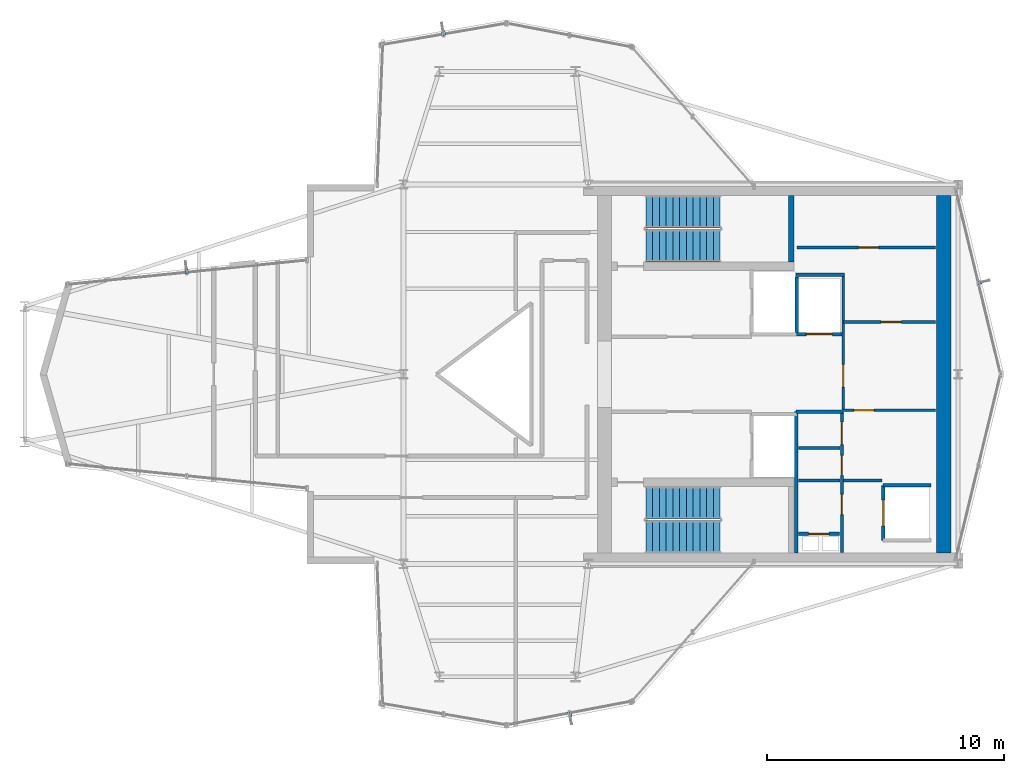
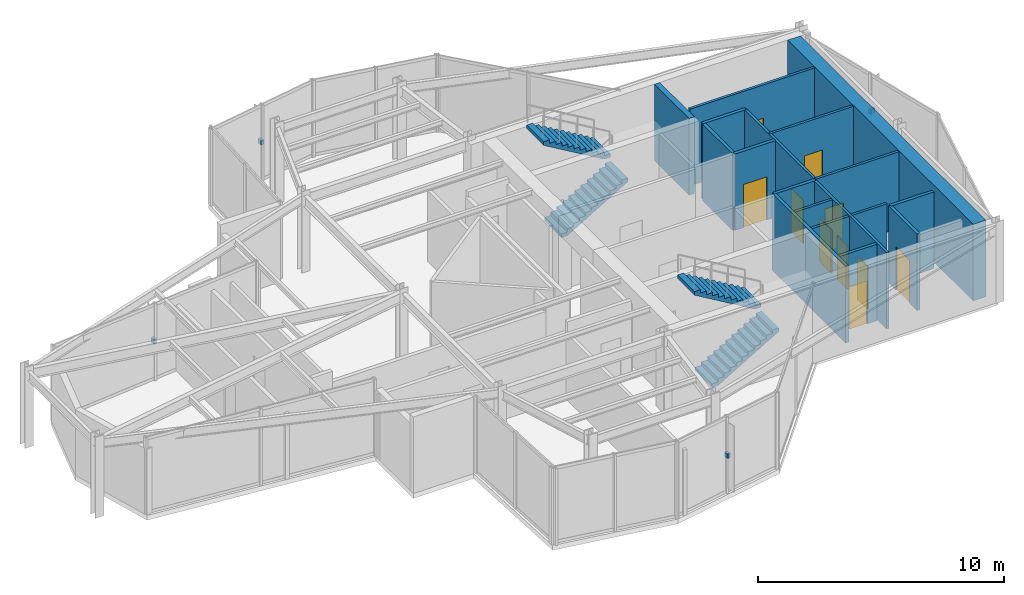
# One storey, part 14 of 15: 18 walls, 10 doors, 4 discrete accessories, 4 stair flights, 10 openings, 2 elements without a shape of their own.
"""IFC4 building model written with IfcOpenShell, lengths in metres."""

from ifc_helpers import new_model, si_unit, direction, frame, frame_2d, origin, origin_2d, place, context, subcontext, project, spatial, polyline, rectangle, outline, extrude, material, layer, layer_set, type_object, element, fill, aggregate, save


model = new_model("IFC4")

# Units and contexts
model_context = context("Model", 3, precision=1e-05, world=origin(), true_north=direction((0.0, 1.0)))
body_context = subcontext(model_context, "Body", "Model", "MODEL_VIEW")
ifc_project = project(units=[si_unit("LENGTHUNIT", "METRE"), si_unit("AREAUNIT", "SQUARE_METRE"), si_unit("VOLUMEUNIT", "CUBIC_METRE"), si_unit("PLANEANGLEUNIT", "RADIAN"), si_unit("MASSUNIT", "GRAM", prefix="KILO")], contexts=[model_context])

# Site, building, storey
site_placement = place(None, origin())
site = spatial("IfcSite", under=ifc_project, at=site_placement, CompositionType="ELEMENT")
building_placement = place(site_placement, origin())
building = spatial("IfcBuilding", under=site, at=building_placement, Name="Veymaron Broadcast Tower", CompositionType="ELEMENT")
storey_placement = place(building_placement, frame((0.0, 0.0, 266.85009765625)))
storey = spatial("IfcBuildingStorey", under=building, at=storey_placement, Name="L62", CompositionType="ELEMENT", Elevation=266.85009765625)

# Wall, opening, door
ifc_material_1 = material(Name="Gypsum fireboard and steel stud framing", Category="steel")
ifc_layer_1 = layer(ifc_material_1, 0.14990234375)
ifc_layer_set_1 = layer_set([ifc_layer_1], Name="Gypsum fireboard and steel stud framing")
wall_type_1 = type_object("IfcWallType", Name="WALL-FIRE-150", PredefinedType="PARTITIONING", material=ifc_layer_set_1)
wall_1_placement = place(storey_placement, frame((47.7900390625, 25.695068359375, 0.0), z_axis=(0.0, 0.0, 1.0), x_axis=(1.0, 0.0, 0.0)))
wall_1 = element("IfcWall", 1, at=wall_1_placement, inside=storey, type_object=wall_type_1, Name="L62 partition IW-L62-SHS-SL-1", PredefinedType="PARTITIONING", context=body_context, shape_type="SweptSolid", body=[
    extrude(rectangle(XDim=1.919921875, YDim=0.14990234375, at=frame_2d((0.9599609375, 0.0))), origin(), (0.0, 0.0, 1.0), 3.809814453125),
])
opening_1_placement = place(wall_1_placement, frame((0.409912109375, 0.0, 0.0)))
opening_1 = element("IfcOpeningElement", 2, at=opening_1_placement, cuts=wall_1, Name="Opening LD", PredefinedType="OPENING", context=body_context, shape_type="SweptSolid", body=[
    extrude(rectangle(XDim=1.10009765625, YDim=2.14990234375, at=frame_2d((0.550048828125, 1.074951171875))), frame((0.0, 0.0849609375, 0.0), z_axis=(0.0, -1.0, 0.0), x_axis=(1.0, 0.0, 0.0)), (0.0, 0.0, 1.0), 0.169921875),
])
ifc_material_2 = material(Name="Brushed stainless steel AISI 304", Category="steel")
door_type_1 = type_object("IfcDoorType", Name="DOOR-LIFT-1100", OperationType="DOUBLE_DOOR_SLIDING", PredefinedType="DOOR", material=ifc_material_2)
door_1_placement = place(opening_1_placement, frame((1.10009765625, 0.0, 0.0), z_axis=(0.0, 0.0, 1.0), x_axis=(-1.0, 0.0, 0.0)))
door_1 = element("IfcDoor", 3, at=door_1_placement, inside=storey, type_object=door_type_1, Name="L62 door LD-L62-SL-1", OperationType="DOUBLE_DOOR_SLIDING", OverallHeight=2.14990234375, OverallWidth=1.10009765625, PredefinedType="DOOR", context=body_context, shape_type="SweptSolid", body=[
    extrude(rectangle(XDim=1.10009765625, YDim=2.14990234375, at=frame_2d((0.550048828125, 1.074951171875))), frame((0.0, 0.02490234375, 0.0), z_axis=(0.0, -1.0, 0.0), x_axis=(1.0, 0.0, 0.0)), (0.0, 0.0, 1.0), 0.050048828125),
])
fill(opening_1, door_1)

# Wall
wall_2_placement = place(storey_placement, frame((47.7900390625, 25.695068359375, 0.0), z_axis=(0.0, 0.0, 1.0), x_axis=(0.0, 1.0, 0.0)))
element("IfcWall", 4, at=wall_2_placement, inside=storey, type_object=wall_type_1, Name="L62 partition IW-L62-SHW-SL-1", PredefinedType="PARTITIONING", context=body_context, shape_type="SweptSolid", body=[
    extrude(rectangle(XDim=2.4150390625, YDim=0.14990234375, at=frame_2d((1.20751953125, 0.0))), origin(), (0.0, 0.0, 1.0), 3.809814453125),
])

# Wall, opening, door
wall_3_placement = place(storey_placement, frame((51.445068359375, 16.989990234375, 0.0), z_axis=(0.0, 0.0, 1.0), x_axis=(0.0, 1.0, 0.0)))
wall_3 = element("IfcWall", 5, at=wall_3_placement, inside=storey, type_object=wall_type_1, Name="L62 partition IW-L62-SHW-PH1", PredefinedType="PARTITIONING", context=body_context, shape_type="SweptSolid", body=[
    extrude(rectangle(XDim=2.320068359375, YDim=0.14990234375, at=frame_2d((1.16015625, 0.0))), origin(), (0.0, 0.0, 1.0), 3.809814453125),
])
opening_2_placement = place(wall_3_placement, frame((0.610107421875, 0.0, 0.0)))
opening_2 = element("IfcOpeningElement", 6, at=opening_2_placement, cuts=wall_3, Name="Opening LD", PredefinedType="OPENING", context=body_context, shape_type="SweptSolid", body=[
    extrude(rectangle(XDim=1.10009765625, YDim=2.14990234375, at=frame_2d((0.550048828125, 1.074951171875))), frame((0.0, 0.0849609375, 0.0), z_axis=(0.0, -1.0, 0.0), x_axis=(1.0, 0.0, 0.0)), (0.0, 0.0, 1.0), 0.169921875),
])
door_2_placement = place(opening_2_placement, frame((1.10009765625, 0.0, 0.0), z_axis=(0.0, 0.0, 1.0), x_axis=(-1.0, 0.0, 0.0)))
door_2 = element("IfcDoor", 7, at=door_2_placement, inside=storey, type_object=door_type_1, Name="L62 door LD-L62-PH1", OperationType="DOUBLE_DOOR_SLIDING", OverallHeight=2.14990234375, OverallWidth=1.10009765625, PredefinedType="DOOR", context=body_context, shape_type="SweptSolid", body=[
    extrude(rectangle(XDim=1.10009765625, YDim=2.14990234375, at=frame_2d((0.550048828125, 1.074951171875))), frame((0.0, 0.02490234375, 0.0), z_axis=(0.0, -1.0, 0.0), x_axis=(1.0, 0.0, 0.0)), (0.0, 0.0, 1.0), 0.050048828125),
])
fill(opening_2, door_2)

# Wall
wall_4_placement = place(storey_placement, frame((51.445068359375, 19.31005859375, 0.0), z_axis=(0.0, 0.0, 1.0), x_axis=(1.0, 0.0, 0.0)))
element("IfcWall", 8, at=wall_4_placement, inside=storey, type_object=wall_type_1, Name="L62 partition IW-L62-SHN-PH1", PredefinedType="PARTITIONING", context=body_context, shape_type="SweptSolid", body=[
    extrude(rectangle(XDim=2.014892578125, YDim=0.14990234375, at=frame_2d((1.00732421875, 0.0))), origin(), (0.0, 0.0, 1.0), 3.809814453125),
])

# Wall, opening, door
wall_5_placement = place(storey_placement, frame((47.8798828125, 17.260009765625, 0.0), z_axis=(0.0, 0.0, 1.0), x_axis=(1.0, 0.0, 0.0)))
wall_5 = element("IfcWall", 9, at=wall_5_placement, inside=storey, type_object=wall_type_1, Name="L62 partition IW-L62-RIS-N", PredefinedType="PARTITIONING", context=body_context, shape_type="SweptSolid", body=[
    extrude(rectangle(XDim=1.72021484375, YDim=0.14990234375, at=frame_2d((0.860107421875, 0.0))), origin(), (0.0, 0.0, 1.0), 3.809814453125),
])
opening_3_placement = place(wall_5_placement, frame((0.419921875, 0.0, 0.0)))
opening_3 = element("IfcOpeningElement", 10, at=opening_3_placement, cuts=wall_5, Name="Opening ID-RS1", PredefinedType="OPENING", context=body_context, shape_type="SweptSolid", body=[
    extrude(rectangle(XDim=0.85009765625, YDim=2.14990234375, at=frame_2d((0.425048828125, 1.074951171875))), frame((0.0, 0.0849609375, 0.0), z_axis=(0.0, -1.0, 0.0), x_axis=(1.0, 0.0, 0.0)), (0.0, 0.0, 1.0), 0.169921875),
])
ifc_material_3 = material(Name="Fire-rated powder-coated steel riser leaf", Category="steel")
door_type_2 = type_object("IfcDoorType", Name="DOOR-RIS-850", OperationType="NOTDEFINED", PredefinedType="TRAPDOOR", material=ifc_material_3)
door_3_placement = place(opening_3_placement, origin())
door_3 = element("IfcDoor", 11, at=door_3_placement, inside=storey, type_object=door_type_2, Name="L62 door DR-L62-RIS", OperationType="SINGLE_SWING_LEFT", OverallHeight=2.14990234375, OverallWidth=0.85009765625, PredefinedType="TRAPDOOR", context=body_context, shape_type="SweptSolid", body=[
    extrude(rectangle(XDim=0.85009765625, YDim=2.14990234375, at=frame_2d((0.425048828125, 1.074951171875))), frame((0.0, 0.02490234375, 0.0), z_axis=(0.0, -1.0, 0.0), x_axis=(1.0, 0.0, 0.0)), (0.0, 0.0, 1.0), 0.050048828125),
])
fill(opening_3, door_3)

# Walls
wall_6_placement = place(storey_placement, frame((47.760009765625, 22.425048828125, 0.0), z_axis=(0.0, 0.0, 1.0), x_axis=(1.0, 0.0, 0.0)))
element("IfcWall", 12, at=wall_6_placement, inside=storey, type_object=wall_type_1, Name="L62 partition IW-L62-SM-N", PredefinedType="PARTITIONING", context=body_context, shape_type="SweptSolid", body=[
    extrude(rectangle(XDim=1.9599609375, YDim=0.14990234375, at=frame_2d((0.97998046875, 0.0))), origin(), (0.0, 0.0, 1.0), 3.809814453125),
])
wall_7_placement = place(storey_placement, frame((47.780029296875, 16.449951171875, 0.0), z_axis=(0.0, 0.0, 1.0), x_axis=(0.0, 1.0, 0.0)))
element("IfcWall", 13, at=wall_7_placement, inside=storey, type_object=wall_type_1, Name="L62 partition IW-L62-SM-W", PredefinedType="PARTITIONING", context=body_context, shape_type="SweptSolid", body=[
    extrude(rectangle(XDim=5.97509765625, YDim=0.14990234375, at=frame_2d((2.987548828125, 0.0))), origin(), (0.0, 0.0, 1.0), 3.809814453125),
])
wall_8_placement = place(storey_placement, frame((47.760009765625, 28.199951171875, 0.0), z_axis=(0.0, 0.0, 1.0), x_axis=(1.0, 0.0, 0.0)))
element("IfcWall", 14, at=wall_8_placement, inside=storey, type_object=wall_type_1, Name="L62 partition IW-L62-F3-SW", PredefinedType="PARTITIONING", context=body_context, shape_type="SweptSolid", body=[
    extrude(rectangle(XDim=2.0400390625, YDim=0.14990234375, at=frame_2d((1.02001953125, 0.0))), origin(), (0.0, 0.0, 1.0), 3.809814453125),
])
ifc_material_4 = material(Name="Acoustic gypsum board and galvanized stud", Category="gypsum")
ifc_layer_2 = layer(ifc_material_4, 0.1201171875)
ifc_layer_set_2 = layer_set([ifc_layer_2], Name="Acoustic gypsum board and galvanized stud")
wall_type_2 = type_object("IfcWallType", Name="WALL-PART-120", PredefinedType="PARTITIONING", material=ifc_layer_set_2)
for number, where, z_axis, x_axis, name in (
    (15, (47.860107421875, 19.52001953125, 0.0), (0.0, 0.0, 1.0), (1.0, 0.0, 0.0), "L62 partition IW-L62-SM-D1"),
    (16, (47.860107421875, 20.8798828125, 0.0), (0.0, 0.0, 1.0), (1.0, 0.0, 0.0), "L62 partition IW-L62-SM-D2"),
):
    element("IfcWall", number, at=place(storey_placement, frame(where, z_axis=z_axis, x_axis=x_axis)), inside=storey, type_object=wall_type_2, Name=name, PredefinedType="PARTITIONING", context=body_context, shape_type="SweptSolid", body=[
        extrude(rectangle(XDim=1.760009765625, YDim=0.1201171875, at=frame_2d((0.8798828125, 0.0))), origin(), (0.0, 0.0, 1.0), 3.809814453125),
    ])

# Wall, openings, doors
wall_9_placement = place(storey_placement, frame((49.699951171875, 16.47998046875, 0.0), z_axis=(0.0, 0.0, 1.0), x_axis=(0.0, 1.0, 0.0)))
wall_9 = element("IfcWall", 17, at=wall_9_placement, inside=storey, type_object=wall_type_2, Name="L62 partition IW-L62-SM-E", PredefinedType="PARTITIONING", context=body_context, shape_type="SweptSolid", body=[
    extrude(rectangle(XDim=5.945068359375, YDim=0.1201171875, at=frame_2d((2.97265625, 0.0))), origin(), (0.0, 0.0, 1.0), 3.809814453125),
])
opening_4_placement = place(wall_9_placement, frame((1.60009765625, 0.0, 0.0)))
opening_4 = element("IfcOpeningElement", 18, at=opening_4_placement, cuts=wall_9, Name="Opening ID-WC1", PredefinedType="OPENING", context=body_context, shape_type="SweptSolid", body=[
    extrude(rectangle(XDim=0.85009765625, YDim=2.14990234375, at=frame_2d((0.425048828125, 1.074951171875))), frame((0.0, 0.070068359375, 0.0), z_axis=(0.0, -1.0, 0.0), x_axis=(1.0, 0.0, 0.0)), (0.0, 0.0, 1.0), 0.14013671875),
])
opening_5_placement = place(wall_9_placement, frame((3.25, 0.0, 0.0)))
opening_5 = element("IfcOpeningElement", 19, at=opening_5_placement, cuts=wall_9, Name="Opening ID-WC1", PredefinedType="OPENING", context=body_context, shape_type="SweptSolid", body=[
    extrude(rectangle(XDim=0.85009765625, YDim=2.14990234375, at=frame_2d((0.425048828125, 1.074951171875))), frame((0.0, 0.070068359375, 0.0), z_axis=(0.0, -1.0, 0.0), x_axis=(1.0, 0.0, 0.0)), (0.0, 0.0, 1.0), 0.14013671875),
])
opening_6_placement = place(wall_9_placement, frame((4.550048828125, 0.0, 0.0)))
opening_6 = element("IfcOpeningElement", 20, at=opening_6_placement, cuts=wall_9, Name="Opening ID-RM1", PredefinedType="OPENING", context=body_context, shape_type="SweptSolid", body=[
    extrude(rectangle(XDim=0.949951171875, YDim=2.14990234375, at=frame_2d((0.47509765625, 1.074951171875))), frame((0.0, 0.070068359375, 0.0), z_axis=(0.0, -1.0, 0.0), x_axis=(1.0, 0.0, 0.0)), (0.0, 0.0, 1.0), 0.14013671875),
])
ifc_material_5 = material(Name="Moisture-resistant high-pressure laminate timber", Category="wood")
door_type_3 = type_object("IfcDoorType", Name="DOOR-INT-850", OperationType="NOTDEFINED", PredefinedType="DOOR", material=ifc_material_5)
door_4_placement = place(opening_4_placement, frame((0.85009765625, 0.0, 0.0), z_axis=(0.0, 0.0, 1.0), x_axis=(-1.0, 0.0, 0.0)))
door_4 = element("IfcDoor", 21, at=door_4_placement, inside=storey, type_object=door_type_3, Name="L62 door DR-L62-JST", OperationType="SINGLE_SWING_LEFT", OverallHeight=2.14990234375, OverallWidth=0.85009765625, PredefinedType="DOOR", context=body_context, shape_type="SweptSolid", body=[
    extrude(rectangle(XDim=0.85009765625, YDim=2.14990234375, at=frame_2d((0.425048828125, 1.074951171875))), frame((0.0, 0.02490234375, 0.0), z_axis=(0.0, -1.0, 0.0), x_axis=(1.0, 0.0, 0.0)), (0.0, 0.0, 1.0), 0.050048828125),
])
fill(opening_4, door_4)
door_5_placement = place(opening_5_placement, frame((0.85009765625, 0.0, 0.0), z_axis=(0.0, 0.0, 1.0), x_axis=(-1.0, 0.0, 0.0)))
door_5 = element("IfcDoor", 22, at=door_5_placement, inside=storey, type_object=door_type_3, Name="L62 door DR-L62-SWC", OperationType="SINGLE_SWING_RIGHT", OverallHeight=2.14990234375, OverallWidth=0.85009765625, PredefinedType="DOOR", context=body_context, shape_type="SweptSolid", body=[
    extrude(rectangle(XDim=0.85009765625, YDim=2.14990234375, at=frame_2d((0.425048828125, 1.074951171875))), frame((0.0, 0.02490234375, 0.0), z_axis=(0.0, -1.0, 0.0), x_axis=(1.0, 0.0, 0.0)), (0.0, 0.0, 1.0), 0.050048828125),
])
fill(opening_5, door_5)
ifc_material_6 = material(Name="Acoustic solid-core European oak veneer timber", Category="wood")
door_type_4 = type_object("IfcDoorType", Name="DOOR-INT-950", OperationType="NOTDEFINED", PredefinedType="DOOR", material=ifc_material_6)
door_6_placement = place(opening_6_placement, frame((0.949951171875, 0.0, 0.0), z_axis=(0.0, 0.0, 1.0), x_axis=(-1.0, 0.0, 0.0)))
door_6 = element("IfcDoor", 23, at=door_6_placement, inside=storey, type_object=door_type_4, Name="L62 door DR-L62-AWC", OperationType="SINGLE_SWING_LEFT", OverallHeight=2.14990234375, OverallWidth=0.949951171875, PredefinedType="DOOR", context=body_context, shape_type="SweptSolid", body=[
    extrude(rectangle(XDim=0.949951171875, YDim=2.14990234375, at=frame_2d((0.47509765625, 1.074951171875))), frame((0.0, 0.02490234375, 0.0), z_axis=(0.0, -1.0, 0.0), x_axis=(1.0, 0.0, 0.0)), (0.0, 0.0, 1.0), 0.050048828125),
])
fill(opening_6, door_6)

# Wall, opening, door
wall_10_placement = place(storey_placement, frame((49.760009765625, 22.47998046875, 0.0), z_axis=(0.0, 0.0, 1.0), x_axis=(1.0, 0.0, 0.0)))
wall_10 = element("IfcWall", 24, at=wall_10_placement, inside=storey, type_object=wall_type_2, Name="L62 partition IW-L62-F3S-N", PredefinedType="PARTITIONING", context=body_context, shape_type="SweptSolid", body=[
    extrude(rectangle(XDim=3.89990234375, YDim=0.1201171875, at=frame_2d((1.949951171875, 0.0))), origin(), (0.0, 0.0, 1.0), 3.809814453125),
])
opening_7_placement = place(wall_10_placement, frame((0.449951171875, 0.0, 0.0)))
opening_7 = element("IfcOpeningElement", 25, at=opening_7_placement, cuts=wall_10, Name="Opening ID-WC1", PredefinedType="OPENING", context=body_context, shape_type="SweptSolid", body=[
    extrude(rectangle(XDim=0.85009765625, YDim=2.14990234375, at=frame_2d((0.425048828125, 1.074951171875))), frame((0.0, 0.070068359375, 0.0), z_axis=(0.0, -1.0, 0.0), x_axis=(1.0, 0.0, 0.0)), (0.0, 0.0, 1.0), 0.14013671875),
])
door_7_placement = place(opening_7_placement, frame((0.85009765625, 0.0, 0.0), z_axis=(0.0, 0.0, 1.0), x_axis=(-1.0, 0.0, 0.0)))
door_7 = element("IfcDoor", 26, at=door_7_placement, inside=storey, type_object=door_type_3, Name="L62 door DR-L62-F3S", OperationType="SINGLE_SWING_LEFT", OverallHeight=2.14990234375, OverallWidth=0.85009765625, PredefinedType="DOOR", context=body_context, shape_type="SweptSolid", body=[
    extrude(rectangle(XDim=0.85009765625, YDim=2.14990234375, at=frame_2d((0.425048828125, 1.074951171875))), frame((0.0, 0.02490234375, 0.0), z_axis=(0.0, -1.0, 0.0), x_axis=(1.0, 0.0, 0.0)), (0.0, 0.0, 1.0), 0.050048828125),
])
fill(opening_7, door_7)

# Wall
wall_11_placement = place(storey_placement, frame((49.760009765625, 19.52001953125, 0.0), z_axis=(0.0, 0.0, 1.0), x_axis=(1.0, 0.0, 0.0)))
element("IfcWall", 27, at=wall_11_placement, inside=storey, type_object=wall_type_2, Name="L62 partition IW-L62-F3S-S", PredefinedType="PARTITIONING", context=body_context, shape_type="SweptSolid", body=[
    extrude(rectangle(XDim=1.639892578125, YDim=0.1201171875, at=frame_2d((0.81982421875, 0.0))), origin(), (0.0, 0.0, 1.0), 3.809814453125),
])

# Wall, opening, door
wall_12_placement = place(storey_placement, frame((49.760009765625, 22.5, 0.0), z_axis=(0.0, 0.0, 1.0), x_axis=(0.0, 1.0, 0.0)))
wall_12 = element("IfcWall", 28, at=wall_12_placement, inside=storey, type_object=wall_type_2, Name="L62 partition IW-L62-F3-W", PredefinedType="PARTITIONING", context=body_context, shape_type="SweptSolid", body=[
    extrude(rectangle(XDim=5.719970703125, YDim=0.1201171875, at=frame_2d((2.85986328125, 0.0))), origin(), (0.0, 0.0, 1.0), 3.809814453125),
])
opening_8_placement = place(wall_12_placement, frame((0.949951171875, 0.0, 0.0)))
opening_8 = element("IfcOpeningElement", 29, at=opening_8_placement, cuts=wall_12, Name="Opening ID-RM1", PredefinedType="OPENING", context=body_context, shape_type="SweptSolid", body=[
    extrude(rectangle(XDim=0.949951171875, YDim=2.14990234375, at=frame_2d((0.47509765625, 1.074951171875))), frame((0.0, 0.070068359375, 0.0), z_axis=(0.0, -1.0, 0.0), x_axis=(1.0, 0.0, 0.0)), (0.0, 0.0, 1.0), 0.14013671875),
])
door_8_placement = place(opening_8_placement, origin())
door_8 = element("IfcDoor", 30, at=door_8_placement, inside=storey, type_object=door_type_4, Name="L62 door DR-L62-F3A", OperationType="SINGLE_SWING_LEFT", OverallHeight=2.14990234375, OverallWidth=0.949951171875, PredefinedType="DOOR", context=body_context, shape_type="SweptSolid", body=[
    extrude(rectangle(XDim=0.949951171875, YDim=2.14990234375, at=frame_2d((0.47509765625, 1.074951171875))), frame((0.0, 0.02490234375, 0.0), z_axis=(0.0, -1.0, 0.0), x_axis=(1.0, 0.0, 0.0)), (0.0, 0.0, 1.0), 0.050048828125),
])
fill(opening_8, door_8)

wall_13_placement = place(storey_placement, frame((49.760009765625, 26.199951171875, 0.0), z_axis=(0.0, 0.0, 1.0), x_axis=(1.0, 0.0, 0.0)))
wall_13 = element("IfcWall", 31, at=wall_13_placement, inside=storey, type_object=wall_type_2, Name="L62 partition IW-L62-F3-M1", PredefinedType="PARTITIONING", context=body_context, shape_type="SweptSolid", body=[
    extrude(rectangle(XDim=3.89990234375, YDim=0.1201171875, at=frame_2d((1.949951171875, 0.0))), origin(), (0.0, 0.0, 1.0), 3.809814453125),
])
opening_9_placement = place(wall_13_placement, frame((1.60009765625, 0.0, 0.0)))
opening_9 = element("IfcOpeningElement", 32, at=opening_9_placement, cuts=wall_13, Name="Opening ID-WC1", PredefinedType="OPENING", context=body_context, shape_type="SweptSolid", body=[
    extrude(rectangle(XDim=0.85009765625, YDim=2.14990234375, at=frame_2d((0.425048828125, 1.074951171875))), frame((0.0, 0.070068359375, 0.0), z_axis=(0.0, -1.0, 0.0), x_axis=(1.0, 0.0, 0.0)), (0.0, 0.0, 1.0), 0.14013671875),
])
door_9_placement = place(opening_9_placement, origin())
door_9 = element("IfcDoor", 33, at=door_9_placement, inside=storey, type_object=door_type_3, Name="L62 door DR-L62-F3B", OperationType="SINGLE_SWING_LEFT", OverallHeight=2.14990234375, OverallWidth=0.85009765625, PredefinedType="DOOR", context=body_context, shape_type="SweptSolid", body=[
    extrude(rectangle(XDim=0.85009765625, YDim=2.14990234375, at=frame_2d((0.425048828125, 1.074951171875))), frame((0.0, 0.02490234375, 0.0), z_axis=(0.0, -1.0, 0.0), x_axis=(1.0, 0.0, 0.0)), (0.0, 0.0, 1.0), 0.050048828125),
])
fill(opening_9, door_9)

wall_14_placement = place(storey_placement, frame((47.800048828125, 29.35009765625, 0.0), z_axis=(0.0, 0.0, 1.0), x_axis=(1.0, 0.0, 0.0)))
wall_14 = element("IfcWall", 34, at=wall_14_placement, inside=storey, type_object=wall_type_2, Name="L62 partition IW-L62-F3-M2", PredefinedType="PARTITIONING", context=body_context, shape_type="SweptSolid", body=[
    extrude(rectangle(XDim=5.85986328125, YDim=0.1201171875, at=frame_2d((2.929931640625, 0.0))), origin(), (0.0, 0.0, 1.0), 3.809814453125),
])
opening_10_placement = place(wall_14_placement, frame((2.60009765625, 0.0, 0.0)))
opening_10 = element("IfcOpeningElement", 35, at=opening_10_placement, cuts=wall_14, Name="Opening ID-WC1", PredefinedType="OPENING", context=body_context, shape_type="SweptSolid", body=[
    extrude(rectangle(XDim=0.85009765625, YDim=2.14990234375, at=frame_2d((0.425048828125, 1.074951171875))), frame((0.0, 0.070068359375, 0.0), z_axis=(0.0, -1.0, 0.0), x_axis=(1.0, 0.0, 0.0)), (0.0, 0.0, 1.0), 0.14013671875),
])
door_10_placement = place(opening_10_placement, origin())
door_10 = element("IfcDoor", 36, at=door_10_placement, inside=storey, type_object=door_type_3, Name="L62 door DR-L62-F3C", OperationType="SINGLE_SWING_RIGHT", OverallHeight=2.14990234375, OverallWidth=0.85009765625, PredefinedType="DOOR", context=body_context, shape_type="SweptSolid", body=[
    extrude(rectangle(XDim=0.85009765625, YDim=2.14990234375, at=frame_2d((0.425048828125, 1.074951171875))), frame((0.0, 0.02490234375, 0.0), z_axis=(0.0, -1.0, 0.0), x_axis=(1.0, 0.0, 0.0)), (0.0, 0.0, 1.0), 0.050048828125),
])
fill(opening_10, door_10)

# Walls
ifc_material_7 = material(Name="Concrete C50/60", Category="concrete")
ifc_layer_3 = layer(ifc_material_7, 0.25)
ifc_layer_set_3 = layer_set([ifc_layer_3], Name="Concrete C50/60")
wall_type_3 = type_object("IfcWallType", Name="WALL-SHEAR-250", PredefinedType="SHEAR", material=ifc_layer_set_3)
wall_15_placement = place(storey_placement, frame((47.56494140625, 28.72998046875, 0.0), z_axis=(0.0, 0.0, 1.0), x_axis=(0.0, 1.0, 0.0)))
element("IfcWall", 37, at=wall_15_placement, inside=storey, type_object=wall_type_3, Name="L62 Core Wall north stair east shear", PredefinedType="SHEAR", context=body_context, shape_type="SweptSolid", body=[
    extrude(rectangle(XDim=2.820068359375, YDim=0.25, at=frame_2d((1.41015625, 0.0))), origin(), (0.0, 0.0, 1.0), 3.809814453125),
])
ifc_layer_4 = layer(ifc_material_7, 0.60009765625)
ifc_layer_set_4 = layer_set([ifc_layer_4], Name="Concrete C50/60")
wall_type_4 = type_object("IfcWallType", Name="WALL-SHEAR-600", PredefinedType="SHEAR", material=ifc_layer_set_4)
wall_16_placement = place(storey_placement, frame((54.0, 16.449951171875, 0.0), z_axis=(0.0, 0.0, 1.0), x_axis=(0.0, 1.0, 0.0)))
element("IfcWall", 38, at=wall_16_placement, inside=storey, type_object=wall_type_4, Name="L62 Core Wall east shear", PredefinedType="SHEAR", context=body_context, shape_type="SweptSolid", body=[
    extrude(rectangle(XDim=15.10009765625, YDim=0.60009765625, at=frame_2d((7.550048828125, 0.0))), origin(), (0.0, 0.0, 1.0), 3.809814453125),
])

# Stair, stair flights
stair_type_1 = type_object("IfcStairType", Name="STAIR-CORE-1", PredefinedType="HALF_TURN_STAIR", material=ifc_material_7)
stair_1_placement = place(storey_placement, origin())
stair_1 = element("IfcStair", 39, at=stair_1_placement, inside=storey, type_object=stair_type_1, Name="L62 North protected dog-leg exit stair ST1", PredefinedType="HALF_TURN_STAIR")
ifc_material_8 = material(Name="Precast concrete C50/60", Category="concrete")
stair_flight_type = type_object("IfcStairFlightType", Name="FLT-CORE-RC", PredefinedType="STRAIGHT", material=ifc_material_8)
stair_flight_1_placement = place(storey_placement, frame((41.429931640625, 29.419921875, 0.0), z_axis=(0.0, 0.0, 1.0), x_axis=(1.0, 0.0, 0.0)))
stair_flight_1 = element("IfcStairFlight", 40, at=stair_flight_1_placement, type_object=stair_flight_type, Name="ST1 flight 1", NumberOfRisers=12, NumberOfTreads=11, PredefinedType="STRAIGHT", RiserHeight=0.16875, TreadLength=0.285, context=body_context, shape_type="SweptSolid", body=[
    extrude(outline(polyline([(0.0, 0.0), (0.0, 0.168701171875), (0.284912109375, 0.168701171875), (0.284912109375, 0.33740234375), (0.570068359375, 0.33740234375), (0.570068359375, 0.50634765625), (0.85498046875, 0.50634765625), (0.85498046875, 0.675048828125), (1.139892578125, 0.675048828125), (1.139892578125, 0.84375), (1.425048828125, 0.84375), (1.425048828125, 1.012451171875), (1.7099609375, 1.012451171875), (1.7099609375, 1.18115234375), (1.9951171875, 1.18115234375), (1.9951171875, 1.35009765625), (2.280029296875, 1.35009765625), (2.280029296875, 1.518798828125), (2.56494140625, 1.518798828125), (2.56494140625, 1.6875), (2.85009765625, 1.6875), (2.85009765625, 1.856201171875), (3.135009765625, 1.856201171875), (3.135009765625, 2.02490234375), (3.135009765625, 1.68212890625), (0.294189453125, 0.0), (0.0, 0.0)])), frame((0.0, 0.68994140625, 0.0), z_axis=(0.0, -1.0, 0.0), x_axis=(1.0, 0.0, 0.0)), (0.0, 0.0, 1.0), 1.3798828125),
])
stair_flight_2_placement = place(storey_placement, frame((44.56494140625, 30.860107421875, 2.02490234375), z_axis=(0.0, 0.0, 1.0), x_axis=(-1.0, 0.0, 0.0)))
stair_flight_2 = element("IfcStairFlight", 41, at=stair_flight_2_placement, type_object=stair_flight_type, Name="ST1 flight 2", NumberOfRisers=12, NumberOfTreads=11, PredefinedType="STRAIGHT", RiserHeight=0.16875, TreadLength=0.285, context=body_context, shape_type="SweptSolid", body=[
    extrude(outline(polyline([(0.0, 0.0), (0.0, 0.168701171875), (0.284912109375, 0.168701171875), (0.284912109375, 0.33740234375), (0.570068359375, 0.33740234375), (0.570068359375, 0.50634765625), (0.85498046875, 0.50634765625), (0.85498046875, 0.675048828125), (1.139892578125, 0.675048828125), (1.139892578125, 0.84375), (1.425048828125, 0.84375), (1.425048828125, 1.012451171875), (1.7099609375, 1.012451171875), (1.7099609375, 1.18115234375), (1.9951171875, 1.18115234375), (1.9951171875, 1.35009765625), (2.280029296875, 1.35009765625), (2.280029296875, 1.518798828125), (2.56494140625, 1.518798828125), (2.56494140625, 1.6875), (2.85009765625, 1.6875), (2.85009765625, 1.856201171875), (3.135009765625, 1.856201171875), (3.135009765625, 2.02490234375), (3.135009765625, 1.68212890625), (0.294189453125, 0.0), (0.0, 0.0)])), frame((0.0, 0.68994140625, 0.0), z_axis=(0.0, -1.0, 0.0), x_axis=(1.0, 0.0, 0.0)), (0.0, 0.0, 1.0), 1.3798828125),
])
aggregate(stair_1, [stair_flight_1, stair_flight_2])

stair_type_2 = type_object("IfcStairType", Name="STAIR-CORE-2", PredefinedType="HALF_TURN_STAIR", material=ifc_material_7)
stair_2_placement = place(storey_placement, origin())
stair_2 = element("IfcStair", 42, at=stair_2_placement, inside=storey, type_object=stair_type_2, Name="L62 South protected dog-leg exit stair ST2", PredefinedType="HALF_TURN_STAIR")
stair_flight_3_placement = place(storey_placement, frame((41.429931640625, 17.139892578125, 0.0), z_axis=(0.0, 0.0, 1.0), x_axis=(1.0, 0.0, 0.0)))
stair_flight_3 = element("IfcStairFlight", 43, at=stair_flight_3_placement, type_object=stair_flight_type, Name="ST2 flight 1", NumberOfRisers=12, NumberOfTreads=11, PredefinedType="STRAIGHT", RiserHeight=0.16875, TreadLength=0.285, context=body_context, shape_type="SweptSolid", body=[
    extrude(outline(polyline([(0.0, 0.0), (0.0, 0.168701171875), (0.284912109375, 0.168701171875), (0.284912109375, 0.33740234375), (0.570068359375, 0.33740234375), (0.570068359375, 0.50634765625), (0.85498046875, 0.50634765625), (0.85498046875, 0.675048828125), (1.139892578125, 0.675048828125), (1.139892578125, 0.84375), (1.425048828125, 0.84375), (1.425048828125, 1.012451171875), (1.7099609375, 1.012451171875), (1.7099609375, 1.18115234375), (1.9951171875, 1.18115234375), (1.9951171875, 1.35009765625), (2.280029296875, 1.35009765625), (2.280029296875, 1.518798828125), (2.56494140625, 1.518798828125), (2.56494140625, 1.6875), (2.85009765625, 1.6875), (2.85009765625, 1.856201171875), (3.135009765625, 1.856201171875), (3.135009765625, 2.02490234375), (3.135009765625, 1.68212890625), (0.294189453125, 0.0), (0.0, 0.0)])), frame((0.0, 0.68994140625, 0.0), z_axis=(0.0, -1.0, 0.0), x_axis=(1.0, 0.0, 0.0)), (0.0, 0.0, 1.0), 1.3798828125),
])
stair_flight_4_placement = place(storey_placement, frame((44.56494140625, 18.580078125, 2.02490234375), z_axis=(0.0, 0.0, 1.0), x_axis=(-1.0, 0.0, 0.0)))
stair_flight_4 = element("IfcStairFlight", 44, at=stair_flight_4_placement, type_object=stair_flight_type, Name="ST2 flight 2", NumberOfRisers=12, NumberOfTreads=11, PredefinedType="STRAIGHT", RiserHeight=0.16875, TreadLength=0.285, context=body_context, shape_type="SweptSolid", body=[
    extrude(outline(polyline([(0.0, 0.0), (0.0, 0.168701171875), (0.284912109375, 0.168701171875), (0.284912109375, 0.33740234375), (0.570068359375, 0.33740234375), (0.570068359375, 0.50634765625), (0.85498046875, 0.50634765625), (0.85498046875, 0.675048828125), (1.139892578125, 0.675048828125), (1.139892578125, 0.84375), (1.425048828125, 0.84375), (1.425048828125, 1.012451171875), (1.7099609375, 1.012451171875), (1.7099609375, 1.18115234375), (1.9951171875, 1.18115234375), (1.9951171875, 1.35009765625), (2.280029296875, 1.35009765625), (2.280029296875, 1.518798828125), (2.56494140625, 1.518798828125), (2.56494140625, 1.6875), (2.85009765625, 1.6875), (2.85009765625, 1.856201171875), (3.135009765625, 1.856201171875), (3.135009765625, 2.02490234375), (3.135009765625, 1.68212890625), (0.294189453125, 0.0), (0.0, 0.0)])), frame((0.0, 0.68994140625, 0.0), z_axis=(0.0, -1.0, 0.0), x_axis=(1.0, 0.0, 0.0)), (0.0, 0.0, 1.0), 1.3798828125),
])
aggregate(stair_2, [stair_flight_3, stair_flight_4])

# Discrete accessories
ifc_material_9 = material(Name="Austenitic stainless steel AISI 316L", Category="steel")
ifc_layer_5 = layer(ifc_material_9, 0.1201171875)
ifc_layer_set_5 = layer_set([ifc_layer_5], Name="Austenitic stainless steel AISI 316L")
discrete_accessory_type = type_object("IfcDiscreteAccessoryType", Name="ACC-BRKT-SS1", PredefinedType="BRACKET", material=ifc_layer_set_5)
for number, where, z_axis, x_axis, name in (
    (45, (55.520751953125, 27.864013671875, 1.794921875), (0.0, 0.0, 1.0), (0.971825407238, 0.235701883419, 0.0), "CW-L62-E3-1 fin bracket 1"),
    (46, (32.8876953125, 38.404296875, 1.794921875), (0.0, 0.0, 1.0), (-0.169934314736, 0.98545539152, 0.0), "CW-L62-E7-1 fin bracket 1"),
    (47, (22.048828125, 28.3525390625, 1.794921875), (0.0, 0.0, 1.0), (-0.101160480293, 0.994870120783, 0.0), "CW-L62-E11-1 fin bracket 1"),
    (48, (38.21728515625, 9.6416015625, 1.794921875), (0.0, 0.0, 1.0), (0.186369710761, -0.982479684732, 0.0), "CW-L62-E19-1 fin bracket 1"),
):
    element("IfcDiscreteAccessory", number, at=place(storey_placement, frame(where, z_axis=z_axis, x_axis=x_axis)), inside=storey, type_object=discrete_accessory_type, Name=name, PredefinedType="BRACKET", context=body_context, shape_type="SweptSolid", body=[
        extrude(rectangle(XDim=0.219970703125, YDim=0.139892578125, at=origin_2d()), origin(), (0.0, 0.0, 1.0), 0.219970703125),
    ])

save(model, "model.ifc")
